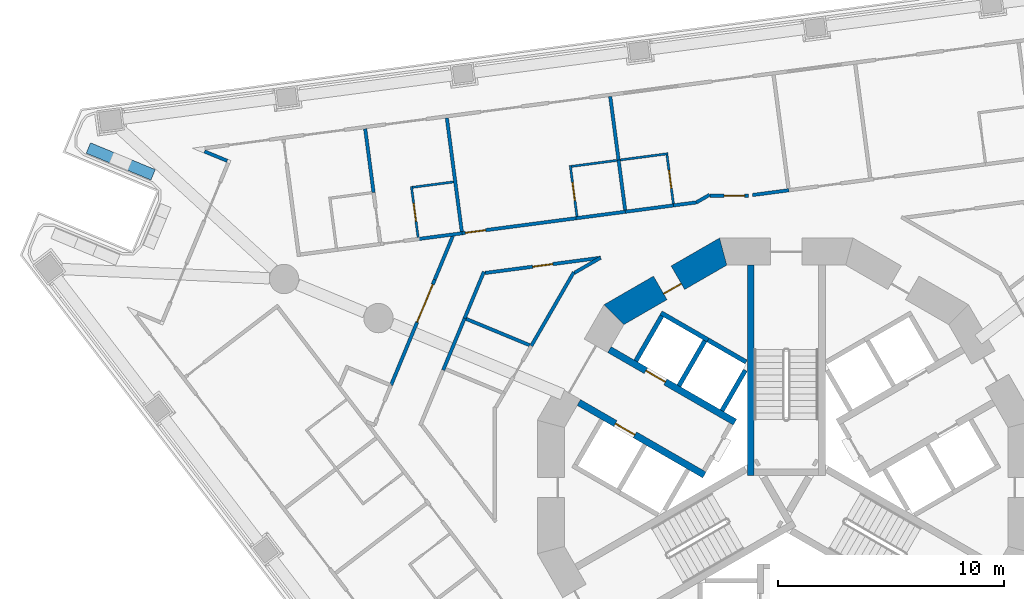
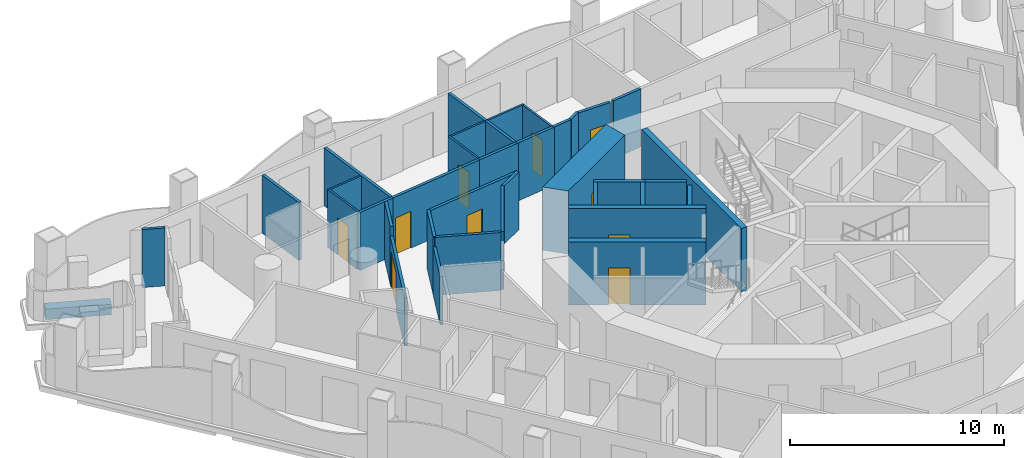
# One storey, part 7 of 19: 37 walls, 10 doors, 10 openings.
"""IFC4 building model written with IfcOpenShell, lengths in metres."""

from ifc_helpers import new_model, si_unit, direction, frame, frame_2d, origin, place, context, subcontext, project, spatial, polyline, rectangle, outline, extrude, material, layer, layer_set, type_object, element, fill, save


model = new_model("IFC4")

# Units and contexts
model_context = context("Model", 3, precision=1e-05, world=origin(), true_north=direction((0.0, 1.0)))
body_context = subcontext(model_context, "Body", "Model", "MODEL_VIEW")
ifc_project = project(units=[si_unit("LENGTHUNIT", "METRE"), si_unit("AREAUNIT", "SQUARE_METRE"), si_unit("VOLUMEUNIT", "CUBIC_METRE"), si_unit("PLANEANGLEUNIT", "RADIAN"), si_unit("MASSUNIT", "GRAM", prefix="KILO")], contexts=[model_context])

# Site, building, storey
site_placement = place(None, origin())
site = spatial("IfcSite", under=ifc_project, at=site_placement, CompositionType="ELEMENT")
building_placement = place(site_placement, origin())
building = spatial("IfcBuilding", under=site, at=building_placement, Name="Trine Commons Tower", CompositionType="ELEMENT")
storey_placement = place(building_placement, frame((0.0, 0.0, 61.199951171875)))
storey = spatial("IfcBuildingStorey", under=building, at=storey_placement, Name="L14", CompositionType="ELEMENT", Elevation=61.199951171875)

# Walls
ifc_material_1 = material(Name="Aluminium-framed insulated wall panel", Category="aluminium")
ifc_layer_1 = layer(ifc_material_1, 0.14990234375)
ifc_layer_set_1 = layer_set([ifc_layer_1], Name="Aluminium-framed insulated wall panel")
wall_type_1 = type_object("IfcWallType", Name="Glazed frame wall 150, EI 60", PredefinedType="SOLIDWALL", material=ifc_layer_set_1)
wall_1_placement = place(storey_placement, frame((55.376220703125, 76.883056640625, 0.0), z_axis=(0.0, 0.0, 1.0), x_axis=(-0.923901801611, 0.382629665579, 0.0)))
element("IfcWall", 1, at=wall_1_placement, inside=storey, type_object=wall_type_1, Name="Glazed frame wall R3", PredefinedType="SOLIDWALL", context=body_context, shape_type="SweptSolid", body=[
    extrude(outline(polyline([(0.110107421875, 0.074951171875), (0.110107421875, -0.074951171875), (1.19580078125, -0.074951171875), (1.19580078125, 0.074951171875), (0.110107421875, 0.074951171875)])), origin(), (0.0, 0.0, 1.0), 3.300048828125),
])
ifc_material_2 = material(Name="Planter trough, precast concrete C40/50", Category="concrete")
ifc_layer_2 = layer(ifc_material_2, 0.5)
ifc_layer_set_2 = layer_set([ifc_layer_2], Name="Planter trough, precast concrete C40/50")
wall_type_2 = type_object("IfcWallType", Name="Planter trough 500x600", PredefinedType="PARAPET", material=ifc_layer_set_2)
wall_2_placement = place(storey_placement, frame((51.99853515625, 76.306640625, 0.0), z_axis=(0.0, 0.0, 1.0), x_axis=(-0.923883411188, 0.382674068277, 0.0)))
element("IfcWall", 2, at=wall_2_placement, inside=storey, type_object=wall_type_2, Name="Planter 3", PredefinedType="PARAPET", context=body_context, shape_type="SweptSolid", body=[
    extrude(rectangle(XDim=3.099853515625, YDim=0.5, at=frame_2d((1.5498046875, 0.0))), origin(), (0.0, 0.0, 1.0), 0.60009765625),
])

# Wall, opening, door
ifc_material_3 = material(Name="Concrete C80/95", Category="concrete")
ifc_layer_3 = layer(ifc_material_3, 1.199951171875)
ifc_layer_set_3 = layer_set([ifc_layer_3], Name="Concrete C80/95")
wall_type_3 = type_object("IfcWallType", Name="RC shear wall 1200 mm, C80/95", PredefinedType="SHEAR", material=ifc_layer_set_3)
wall_3_placement = place(storey_placement, frame((77.349609375, 72.991943359375, 0.0), z_axis=(0.0, 0.0, 1.0), x_axis=(-0.866037463336, -0.499979111662, 0.0)))
wall_3 = element("IfcWall", 3, at=wall_3_placement, inside=storey, type_object=wall_type_3, Name="Core wall CWB-05 L14", PredefinedType="SHEAR", context=body_context, shape_type="SweptSolid", body=[
    extrude(outline(polyline([(0.0, -0.60009765625), (5.901123046875, -0.60009765625), (5.57958984375, 0.60009765625), (0.321533203125, 0.60009765625), (0.0, -0.60009765625)])), origin(), (0.0, 0.0, 1.0), 3.60009765625),
])
opening_1_placement = place(wall_3_placement, frame((2.474853515625, 0.0, 0.0)))
opening_1 = element("IfcOpeningElement", 4, at=opening_1_placement, cuts=wall_3, Name="Opening K05.12", PredefinedType="OPENING", context=body_context, shape_type="SweptSolid", body=[
    extrude(rectangle(XDim=0.89990234375, YDim=2.10009765625, at=frame_2d((0.449951171875, 1.050048828125))), frame((0.0, 0.60986328125, 0.0), z_axis=(0.0, -1.0, 0.0), x_axis=(1.0, 0.0, 0.0)), (0.0, 0.0, 1.0), 1.219970703125),
])
ifc_material_4 = material(Name="Steel door leaf, fire-rated", Category="steel")
door_type_1 = type_object("IfcDoorType", Name="Core room door, single leaf 900 x 2100, FD30S", OperationType="SINGLE_SWING_LEFT", PredefinedType="DOOR", material=ifc_material_4)
door_1_placement = place(opening_1_placement, origin())
door_1 = element("IfcDoor", 5, at=door_1_placement, inside=storey, type_object=door_type_1, Name="Door to Accessible WC L14", OperationType="SINGLE_SWING_LEFT", OverallHeight=2.10009765625, OverallWidth=0.89990234375, PredefinedType="DOOR", context=body_context, shape_type="SweptSolid", body=[
    extrude(rectangle(XDim=0.89990234375, YDim=2.10009765625, at=frame_2d((0.449951171875, 1.050048828125))), frame((0.0, 0.3251953125, 0.0), z_axis=(0.0, -1.0, 0.0), x_axis=(1.0, 0.0, 0.0)), (0.0, 0.0, 1.0), 0.050048828125),
])
fill(opening_1, door_1)

ifc_layer_4 = layer(ifc_material_3, 0.300048828125)
ifc_layer_set_4 = layer_set([ifc_layer_4], Name="Concrete C80/95")
wall_type_4 = type_object("IfcWallType", Name="RC shear wall 300 mm, C80/95", PredefinedType="SHEAR", material=ifc_layer_set_4)
wall_4_placement = place(storey_placement, frame((76.381103515625, 63.031005859375, 0.0), z_axis=(0.0, 0.0, 1.0), x_axis=(-0.866032150378, 0.499988314375, 0.0)))
wall_4 = element("IfcWall", 6, at=wall_4_placement, inside=storey, type_object=wall_type_4, Name="Core cross wall SWA-01 L14", PredefinedType="SHEAR", context=body_context, shape_type="SweptSolid", body=[
    extrude(rectangle(XDim=6.412353515625, YDim=0.300048828125, at=frame_2d((3.2060546875, 0.0))), origin(), (0.0, 0.0, 1.0), 3.60009765625),
])
opening_2_placement = place(wall_4_placement, frame((3.55029296875, 0.0, 0.0)))
opening_2 = element("IfcOpeningElement", 7, at=opening_2_placement, cuts=wall_4, Name="Opening LD3", PredefinedType="OPENING", context=body_context, shape_type="SweptSolid", body=[
    extrude(rectangle(XDim=1.0, YDim=2.10009765625, at=frame_2d((0.5, 1.050048828125))), frame((0.0, 0.159912109375, 0.0), z_axis=(0.0, -1.0, 0.0), x_axis=(1.0, 0.0, 0.0)), (0.0, 0.0, 1.0), 0.320068359375),
])
ifc_material_5 = material(Name="Stainless steel sliding door leaves", Category="steel")
door_type_2 = type_object("IfcDoorType", Name="Lift landing door, centre-opening sliding 1000 x 2100, FD90", OperationType="DOUBLE_DOOR_SLIDING", PredefinedType="DOOR", material=ifc_material_5)
door_2_placement = place(opening_2_placement, origin())
door_2 = element("IfcDoor", 8, at=door_2_placement, inside=storey, type_object=door_type_2, Name="Lift landing door LR3 L14", OperationType="DOUBLE_DOOR_SLIDING", OverallHeight=2.10009765625, OverallWidth=1.0, PredefinedType="DOOR", context=body_context, shape_type="SweptSolid", body=[
    extrude(rectangle(XDim=1.0, YDim=2.10009765625, at=frame_2d((0.5, 1.050048828125))), frame((0.0, 0.02490234375, 0.0), z_axis=(0.0, -1.0, 0.0), x_axis=(1.0, 0.0, 0.0)), (0.0, 0.0, 1.0), 0.050048828125),
])
fill(opening_2, door_2)

wall_5_placement = place(storey_placement, frame((77.73095703125, 65.368896484375, 0.0), z_axis=(0.0, 0.0, 1.0), x_axis=(-0.866022631842, 0.500004801114, 0.0)))
wall_5 = element("IfcWall", 9, at=wall_5_placement, inside=storey, type_object=wall_type_4, Name="Core cross wall SWA-02 L14", PredefinedType="SHEAR", context=body_context, shape_type="SweptSolid", body=[
    extrude(rectangle(XDim=6.412109375, YDim=0.300048828125, at=frame_2d((3.2060546875, 0.0))), origin(), (0.0, 0.0, 1.0), 3.60009765625),
])
opening_3_placement = place(wall_5_placement, frame((3.55029296875, 0.0, 0.0)))
opening_3 = element("IfcOpeningElement", 10, at=opening_3_placement, cuts=wall_5, Name="Opening LD4", PredefinedType="OPENING", context=body_context, shape_type="SweptSolid", body=[
    extrude(rectangle(XDim=1.0, YDim=2.10009765625, at=frame_2d((0.5, 1.050048828125))), frame((0.0, 0.159912109375, 0.0), z_axis=(0.0, -1.0, 0.0), x_axis=(1.0, 0.0, 0.0)), (0.0, 0.0, 1.0), 0.320068359375),
])
door_3_placement = place(opening_3_placement, origin())
door_3 = element("IfcDoor", 11, at=door_3_placement, inside=storey, type_object=door_type_2, Name="Lift landing door LR4 L14", OperationType="DOUBLE_DOOR_SLIDING", OverallHeight=2.10009765625, OverallWidth=1.0, PredefinedType="DOOR", context=body_context, shape_type="SweptSolid", body=[
    extrude(rectangle(XDim=1.0, YDim=2.10009765625, at=frame_2d((0.5, 1.050048828125))), frame((0.0, 0.02490234375, 0.0), z_axis=(0.0, -1.0, 0.0), x_axis=(1.0, 0.0, 0.0)), (0.0, 0.0, 1.0), 0.050048828125),
])
fill(opening_3, door_3)

# Walls
wall_6_placement = place(storey_placement, frame((78.425048828125, 63.0009765625, 0.0), z_axis=(0.0, 0.0, 1.0), x_axis=(0.0, 1.0, 0.0)))
element("IfcWall", 12, at=wall_6_placement, inside=storey, type_object=wall_type_4, Name="Core cross wall SWA-08 L14", PredefinedType="SHEAR", context=body_context, shape_type="SweptSolid", body=[
    extrude(rectangle(XDim=9.31103515625, YDim=0.300048828125, at=frame_2d((4.655517578125, 0.0))), origin(), (0.0, 0.0, 1.0), 3.60009765625),
])
ifc_material_6 = material(Name="Fire-rated gypsum shaft wall system")
ifc_layer_5 = layer(ifc_material_6, 0.199951171875)
ifc_layer_set_5 = layer_set([ifc_layer_5], Name="Fire-rated gypsum shaft wall system")
wall_type_5 = type_object("IfcWallType", Name="Shaft wall 200 mm, EI 120", PredefinedType="PARTITIONING", material=ifc_layer_set_5)
wall_7_placement = place(storey_placement, frame((73.344970703125, 68.073974609375, 0.0), z_axis=(0.0, 0.0, 1.0), x_axis=(0.500215680983, 0.865900844496, 0.0)))
element("IfcWall", 13, at=wall_7_placement, inside=storey, type_object=wall_type_5, Name="Shaft wall L14", PredefinedType="PARTITIONING", context=body_context, shape_type="SweptSolid", body=[
    extrude(rectangle(XDim=2.29931640625, YDim=0.199951171875, at=frame_2d((1.149658203125, 0.0))), origin(), (0.0, 0.0, 1.0), 3.300048828125),
])
wall_8_placement = place(storey_placement, frame((75.2509765625, 66.97412109375, 0.0), z_axis=(0.0, 0.0, 1.0), x_axis=(0.500136062276, 0.86594683394, 0.0)))
element("IfcWall", 14, at=wall_8_placement, inside=storey, type_object=wall_type_5, Name="Shaft wall L14", PredefinedType="PARTITIONING", context=body_context, shape_type="SweptSolid", body=[
    extrude(rectangle(XDim=2.299072265625, YDim=0.199951171875, at=frame_2d((1.1494140625, 0.0))), origin(), (0.0, 0.0, 1.0), 3.300048828125),
])
wall_9_placement = place(storey_placement, frame((76.5380859375, 69.001953125, 0.0), z_axis=(0.0, 0.0, 1.0), x_axis=(-0.866202511239, 0.499693115345, 0.0)))
element("IfcWall", 15, at=wall_9_placement, inside=storey, type_object=wall_type_5, Name="Shaft wall L14", PredefinedType="PARTITIONING", context=body_context, shape_type="SweptSolid", body=[
    extrude(rectangle(XDim=2.4013671875, YDim=0.199951171875, at=frame_2d((1.20068359375, 0.0))), origin(), (0.0, 0.0, 1.0), 3.300048828125),
])
wall_10_placement = place(storey_placement, frame((77.156005859375, 65.8740234375, 0.0), z_axis=(0.0, 0.0, 1.0), x_axis=(0.499865770674, 0.866102887253, 0.0)))
element("IfcWall", 16, at=wall_10_placement, inside=storey, type_object=wall_type_5, Name="Shaft wall L14", PredefinedType="PARTITIONING", context=body_context, shape_type="SweptSolid", body=[
    extrude(rectangle(XDim=2.064453125, YDim=0.199951171875, at=frame_2d((1.0322265625, 0.0))), origin(), (0.0, 0.0, 1.0), 3.300048828125),
])
wall_11_placement = place(storey_placement, frame((78.22509765625, 68.028076171875, 0.0), z_axis=(0.0, 0.0, 1.0), x_axis=(-0.866052014814, 0.499953905513, 0.0)))
element("IfcWall", 17, at=wall_11_placement, inside=storey, type_object=wall_type_5, Name="Shaft wall L14", PredefinedType="PARTITIONING", context=body_context, shape_type="SweptSolid", body=[
    extrude(rectangle(XDim=1.947998046875, YDim=0.199951171875, at=frame_2d((0.97412109375, 0.0))), origin(), (0.0, 0.0, 1.0), 3.300048828125),
])
ifc_material_7 = material(Name="Gypsum plasterboard on steel stud", Category="steel")
ifc_layer_6 = layer(ifc_material_7, 0.14990234375)
ifc_layer_set_6 = layer_set([ifc_layer_6], Name="Gypsum plasterboard on steel stud")
wall_type_6 = type_object("IfcWallType", Name="Unit and corridor wall 150 mm, EI 60", PredefinedType="PARTITIONING", material=ifc_layer_set_6)
wall_12_placement = place(storey_placement, frame((61.377197265625, 78.34130859375, 0.0), z_axis=(0.0, 0.0, 1.0), x_axis=(0.130648074846, -0.9914288076, 0.0)))
element("IfcWall", 18, at=wall_12_placement, inside=storey, type_object=wall_type_6, Name="Partition 016", PredefinedType="PARTITIONING", context=body_context, shape_type="SweptSolid", body=[
    extrude(rectangle(XDim=2.838623046875, YDim=0.14990234375, at=frame_2d((1.41943359375, 0.0))), origin(), (0.0, 0.0, 1.0), 3.300048828125),
])

# Wall, opening, door
wall_13_placement = place(storey_placement, frame((62.52197265625, 67.007080078125, 0.0), z_axis=(0.0, 0.0, 1.0), x_axis=(0.382650715136, 0.923893083753, 0.0)))
wall_13 = element("IfcWall", 19, at=wall_13_placement, inside=storey, type_object=wall_type_6, Name="Partition 022", PredefinedType="PARTITIONING", context=body_context, shape_type="SweptSolid", body=[
    extrude(rectangle(XDim=5.04931640625, YDim=0.14990234375, at=frame_2d((2.524658203125, 0.0))), origin(), (0.0, 0.0, 1.0), 2.75),
])
opening_4_placement = place(wall_13_placement, frame((3.014404296875, 0.0, 0.0)))
opening_4 = element("IfcOpeningElement", 20, at=opening_4_placement, cuts=wall_13, Name="Opening D-2B03", PredefinedType="OPENING", context=body_context, shape_type="SweptSolid", body=[
    extrude(rectangle(XDim=1.800048828125, YDim=2.10009765625, at=frame_2d((0.89990234375, 1.050048828125))), frame((0.0, 0.0849609375, 0.0), z_axis=(0.0, -1.0, 0.0), x_axis=(1.0, 0.0, 0.0)), (0.0, 0.0, 1.0), 0.169921875),
])
ifc_material_8 = material(Name="Timber fire door set", Category="wood")
door_type_3 = type_object("IfcDoorType", Name="Cluster entrance door 1800 x 2100, double leaf, FD30S", OperationType="DOUBLE_DOOR_DOUBLE_SWING", PredefinedType="DOOR", material=ifc_material_8)
door_4_placement = place(opening_4_placement, origin())
door_4 = element("IfcDoor", 21, at=door_4_placement, inside=storey, type_object=door_type_3, Name="Door D-2B03", OperationType="DOUBLE_DOOR_DOUBLE_SWING", OverallHeight=2.10009765625, OverallWidth=1.800048828125, PredefinedType="DOOR", context=body_context, shape_type="SweptSolid", body=[
    extrude(rectangle(XDim=1.800048828125, YDim=2.10009765625, at=frame_2d((0.89990234375, 1.050048828125))), frame((0.0, 0.02490234375, 0.0), z_axis=(0.0, -1.0, 0.0), x_axis=(1.0, 0.0, 0.0)), (0.0, 0.0, 1.0), 0.050048828125),
])
fill(opening_4, door_4)

# Walls
wall_14_placement = place(storey_placement, frame((63.722900390625, 73.467041015625, 0.0), z_axis=(0.0, 0.0, 1.0), x_axis=(0.991489487772, 0.130186772134, 0.0)))
element("IfcWall", 22, at=wall_14_placement, inside=storey, type_object=wall_type_6, Name="Partition 027", PredefinedType="PARTITIONING", context=body_context, shape_type="SweptSolid", body=[
    extrude(rectangle(XDim=1.957763671875, YDim=0.14990234375, at=frame_2d((0.97900390625, 0.0))), origin(), (0.0, 0.0, 1.0), 3.300048828125),
])
wall_15_placement = place(storey_placement, frame((64.4541015625, 71.672119140625, 0.0), z_axis=(0.0, 0.0, 1.0), x_axis=(0.382922635391, 0.923780415091, 0.0)))
element("IfcWall", 23, at=wall_15_placement, inside=storey, type_object=wall_type_6, Name="Partition 030", PredefinedType="PARTITIONING", context=body_context, shape_type="SweptSolid", body=[
    extrude(rectangle(XDim=2.08984375, YDim=0.14990234375, at=frame_2d((1.044921875, 0.0))), origin(), (0.0, 0.0, 1.0), 3.300048828125),
])
wall_16_placement = place(storey_placement, frame((64.826416015625, 67.671630859375, 0.0), z_axis=(0.0, 0.0, 1.0), x_axis=(0.382785873713, 0.923837093261, 0.0)))
element("IfcWall", 24, at=wall_16_placement, inside=storey, type_object=wall_type_6, Name="Partition 033", PredefinedType="PARTITIONING", context=body_context, shape_type="SweptSolid", body=[
    extrude(rectangle(XDim=2.483642578125, YDim=0.14990234375, at=frame_2d((1.24169921875, 0.0))), origin(), (0.0, 0.0, 1.0), 2.75),
])
wall_17_placement = place(storey_placement, frame((64.9892578125, 78.8173828125, 0.0), z_axis=(0.0, 0.0, 1.0), x_axis=(0.130499406053, -0.991448387471, 0.0)))
element("IfcWall", 25, at=wall_17_placement, inside=storey, type_object=wall_type_6, Name="Partition 035", PredefinedType="PARTITIONING", context=body_context, shape_type="SweptSolid", body=[
    extrude(rectangle(XDim=5.064208984375, YDim=0.14990234375, at=frame_2d((2.5322265625, 0.0))), origin(), (0.0, 0.0, 1.0), 3.300048828125),
])

# Wall, opening, door
wall_18_placement = place(storey_placement, frame((65.656005859375, 73.720947265625, 0.0), z_axis=(0.0, 0.0, 1.0), x_axis=(0.991434260867, 0.130606685815, 0.0)))
wall_18 = element("IfcWall", 26, at=wall_18_placement, inside=storey, type_object=wall_type_6, Name="Partition 036", PredefinedType="PARTITIONING", context=body_context, shape_type="SweptSolid", body=[
    extrude(rectangle(XDim=5.146240234375, YDim=0.14990234375, at=frame_2d((2.5732421875, 0.0))), origin(), (0.0, 0.0, 1.0), 3.300048828125),
])
opening_5_placement = place(wall_18_placement, frame((0.154052734375, 0.0, 0.0)))
opening_5 = element("IfcOpeningElement", 27, at=opening_5_placement, cuts=wall_18, Name="Opening D-2B09", PredefinedType="OPENING", context=body_context, shape_type="SweptSolid", body=[
    extrude(rectangle(XDim=0.89990234375, YDim=2.10009765625, at=frame_2d((0.449951171875, 1.050048828125))), frame((0.0, 0.0849609375, 0.0), z_axis=(0.0, -1.0, 0.0), x_axis=(1.0, 0.0, 0.0)), (0.0, 0.0, 1.0), 0.169921875),
])
door_type_4 = type_object("IfcDoorType", Name="Bedroom door 900 x 2100, FD30S", OperationType="NOTDEFINED", PredefinedType="DOOR", material=ifc_material_8)
door_5_placement = place(opening_5_placement, origin())
door_5 = element("IfcDoor", 28, at=door_5_placement, inside=storey, type_object=door_type_4, Name="Door D-2B09", OperationType="SINGLE_SWING_LEFT", OverallHeight=2.10009765625, OverallWidth=0.89990234375, PredefinedType="DOOR", context=body_context, shape_type="SweptSolid", body=[
    extrude(rectangle(XDim=0.89990234375, YDim=2.10009765625, at=frame_2d((0.449951171875, 1.050048828125))), frame((0.0, 0.02490234375, 0.0), z_axis=(0.0, -1.0, 0.0), x_axis=(1.0, 0.0, 0.0)), (0.0, 0.0, 1.0), 0.050048828125),
])
fill(opening_5, door_5)

# Walls
wall_19_placement = place(storey_placement, frame((65.77392578125, 69.9580078125, 0.0), z_axis=(0.0, 0.0, 1.0), x_axis=(0.382599241046, 0.923914401203, 0.0)))
element("IfcWall", 29, at=wall_19_placement, inside=storey, type_object=wall_type_6, Name="Partition 037", PredefinedType="PARTITIONING", context=body_context, shape_type="SweptSolid", body=[
    extrude(rectangle(XDim=2.236572265625, YDim=0.14990234375, at=frame_2d((1.1181640625, 0.0))), origin(), (0.0, 0.0, 1.0), 3.300048828125),
])
wall_20_placement = place(storey_placement, frame((65.77490234375, 69.9619140625, 0.0), z_axis=(0.0, 0.0, 1.0), x_axis=(0.923918484918, -0.382589379397, 0.0)))
element("IfcWall", 30, at=wall_20_placement, inside=storey, type_object=wall_type_6, Name="Partition 038", PredefinedType="PARTITIONING", context=body_context, shape_type="SweptSolid", body=[
    extrude(rectangle(XDim=3.115966796875, YDim=0.14990234375, at=frame_2d((1.55810546875, 0.0))), origin(), (0.0, 0.0, 1.0), 3.300048828125),
])

# Wall, opening, door
wall_21_placement = place(storey_placement, frame((66.67529296875, 71.96484375, 0.0), z_axis=(0.0, 0.0, 1.0), x_axis=(0.991459293276, 0.130416524172, 0.0)))
wall_21 = element("IfcWall", 31, at=wall_21_placement, inside=storey, type_object=wall_type_6, Name="Partition 039", PredefinedType="PARTITIONING", context=body_context, shape_type="SweptSolid", body=[
    extrude(rectangle(XDim=5.153564453125, YDim=0.14990234375, at=frame_2d((2.57666015625, 0.0))), origin(), (0.0, 0.0, 1.0), 3.300048828125),
])
opening_6_placement = place(wall_21_placement, frame((2.1259765625, 0.0, 0.0)))
opening_6 = element("IfcOpeningElement", 32, at=opening_6_placement, cuts=wall_21, Name="Opening D-2B35", PredefinedType="OPENING", context=body_context, shape_type="SweptSolid", body=[
    extrude(rectangle(XDim=0.89990234375, YDim=2.10009765625, at=frame_2d((0.449951171875, 1.050048828125))), frame((0.0, 0.0849609375, 0.0), z_axis=(0.0, -1.0, 0.0), x_axis=(1.0, 0.0, 0.0)), (0.0, 0.0, 1.0), 0.169921875),
])
door_type_5 = type_object("IfcDoorType", Name="Service door 900 x 2100, FD30S", OperationType="NOTDEFINED", PredefinedType="DOOR", material=ifc_material_8)
door_6_placement = place(opening_6_placement, frame((0.89990234375, 0.0, 0.0), z_axis=(0.0, 0.0, 1.0), x_axis=(-1.0, 0.0, 0.0)))
door_6 = element("IfcDoor", 33, at=door_6_placement, inside=storey, type_object=door_type_5, Name="Door D-2B35", OperationType="SINGLE_SWING_RIGHT", OverallHeight=2.10009765625, OverallWidth=0.89990234375, PredefinedType="DOOR", context=body_context, shape_type="SweptSolid", body=[
    extrude(rectangle(XDim=0.89990234375, YDim=2.10009765625, at=frame_2d((0.449951171875, 1.050048828125))), frame((0.0, 0.02490234375, 0.0), z_axis=(0.0, -1.0, 0.0), x_axis=(1.0, 0.0, 0.0)), (0.0, 0.0, 1.0), 0.050048828125),
])
fill(opening_6, door_6)

# Walls
wall_22_placement = place(storey_placement, frame((68.720947265625, 68.737060546875, 0.0), z_axis=(0.0, 0.0, 1.0), x_axis=(0.499855260579, 0.866108953002, 0.0)))
element("IfcWall", 34, at=wall_22_placement, inside=storey, type_object=wall_type_6, Name="Partition 046", PredefinedType="PARTITIONING", context=body_context, shape_type="SweptSolid", body=[
    extrude(rectangle(XDim=3.76611328125, YDim=0.14990234375, at=frame_2d((1.883056640625, 0.0))), origin(), (0.0, 0.0, 1.0), 3.300048828125),
])
wall_23_placement = place(storey_placement, frame((70.630859375, 71.971435546875, 0.0), z_axis=(0.0, 0.0, 1.0), x_axis=(0.865822790046, 0.500350773195, 0.0)))
element("IfcWall", 35, at=wall_23_placement, inside=storey, type_object=wall_type_6, Name="Partition 053", PredefinedType="PARTITIONING", context=body_context, shape_type="SweptSolid", body=[
    extrude(rectangle(XDim=1.333984375, YDim=0.14990234375, at=frame_2d((0.6669921875, 0.0))), origin(), (0.0, 0.0, 1.0), 3.300048828125),
])
wall_24_placement = place(storey_placement, frame((70.700439453125, 74.385498046875, 0.0), z_axis=(0.0, 0.0, 1.0), x_axis=(0.991421134071, 0.13070629257, 0.0)))
element("IfcWall", 36, at=wall_24_placement, inside=storey, type_object=wall_type_6, Name="Partition 054", PredefinedType="PARTITIONING", context=body_context, shape_type="SweptSolid", body=[
    extrude(rectangle(XDim=2.282470703125, YDim=0.14990234375, at=frame_2d((1.14111328125, 0.0))), origin(), (0.0, 0.0, 1.0), 3.300048828125),
])
wall_25_placement = place(storey_placement, frame((72.214111328125, 79.768310546875, 0.0), z_axis=(0.0, 0.0, 1.0), x_axis=(0.130648074846, -0.9914288076, 0.0)))
element("IfcWall", 37, at=wall_25_placement, inside=storey, type_object=wall_type_6, Name="Partition 056", PredefinedType="PARTITIONING", context=body_context, shape_type="SweptSolid", body=[
    extrude(rectangle(XDim=2.838623046875, YDim=0.14990234375, at=frame_2d((1.41943359375, 0.0))), origin(), (0.0, 0.0, 1.0), 3.300048828125),
])
wall_26_placement = place(storey_placement, frame((72.5849609375, 76.9541015625, 0.0), z_axis=(0.0, 0.0, 1.0), x_axis=(0.130417626648, -0.991459148255, 0.0)))
element("IfcWall", 38, at=wall_26_placement, inside=storey, type_object=wall_type_6, Name="Partition 057", PredefinedType="PARTITIONING", context=body_context, shape_type="SweptSolid", body=[
    extrude(rectangle(XDim=2.225830078125, YDim=0.14990234375, at=frame_2d((1.11279296875, 0.0))), origin(), (0.0, 0.0, 1.0), 3.300048828125),
])
wall_27_placement = place(storey_placement, frame((72.881103515625, 74.673095703125, 0.0), z_axis=(0.0, 0.0, 1.0), x_axis=(0.991439990687, 0.13056318343, 0.0)))
element("IfcWall", 39, at=wall_27_placement, inside=storey, type_object=wall_type_6, Name="Partition 059", PredefinedType="PARTITIONING", context=body_context, shape_type="SweptSolid", body=[
    extrude(rectangle(XDim=2.208251953125, YDim=0.14990234375, at=frame_2d((1.10400390625, 0.0))), origin(), (0.0, 0.0, 1.0), 3.300048828125),
])
wall_28_placement = place(storey_placement, frame((75.012939453125, 74.9541015625, 0.0), z_axis=(0.0, 0.0, 1.0), x_axis=(0.991497392329, 0.130126557642, 0.0)))
element("IfcWall", 40, at=wall_28_placement, inside=storey, type_object=wall_type_6, Name="Partition 064", PredefinedType="PARTITIONING", context=body_context, shape_type="SweptSolid", body=[
    extrude(rectangle(XDim=1.020751953125, YDim=0.14990234375, at=frame_2d((0.51025390625, 0.0))), origin(), (0.0, 0.0, 1.0), 3.300048828125),
])
wall_29_placement = place(storey_placement, frame((76.01806640625, 75.08203125, 0.0), z_axis=(0.0, 0.0, 1.0), x_axis=(0.866286339247, 0.499547773926, 0.0)))
element("IfcWall", 41, at=wall_29_placement, inside=storey, type_object=wall_type_6, Name="Partition 069", PredefinedType="PARTITIONING", context=body_context, shape_type="SweptSolid", body=[
    extrude(rectangle(XDim=0.685791015625, YDim=0.14990234375, at=frame_2d((0.3427734375, 0.0))), origin(), (0.0, 0.0, 1.0), 3.300048828125),
])

# Wall, opening, door
wall_30_placement = place(storey_placement, frame((76.6220703125, 75.386962890625, 0.0), z_axis=(0.0, 0.0, 1.0), x_axis=(1.0, 0.0, 0.0)))
wall_30 = element("IfcWall", 42, at=wall_30_placement, inside=storey, type_object=wall_type_6, Name="Partition 071", PredefinedType="PARTITIONING", context=body_context, shape_type="SweptSolid", body=[
    extrude(rectangle(XDim=1.7138671875, YDim=0.14990234375, at=frame_2d((0.85693359375, 0.0))), origin(), (0.0, 0.0, 1.0), 3.300048828125),
])
opening_7_placement = place(wall_30_placement, frame((0.631103515625, 0.0, 0.0)))
opening_7 = element("IfcOpeningElement", 43, at=opening_7_placement, cuts=wall_30, Name="Opening D-2B10", PredefinedType="OPENING", context=body_context, shape_type="SweptSolid", body=[
    extrude(rectangle(XDim=0.89990234375, YDim=2.10009765625, at=frame_2d((0.449951171875, 1.050048828125))), frame((0.0, 0.0849609375, 0.0), z_axis=(0.0, -1.0, 0.0), x_axis=(1.0, 0.0, 0.0)), (0.0, 0.0, 1.0), 0.169921875),
])
door_7_placement = place(opening_7_placement, origin())
door_7 = element("IfcDoor", 44, at=door_7_placement, inside=storey, type_object=door_type_4, Name="Door D-2B10", OperationType="SINGLE_SWING_RIGHT", OverallHeight=2.10009765625, OverallWidth=0.89990234375, PredefinedType="DOOR", context=body_context, shape_type="SweptSolid", body=[
    extrude(rectangle(XDim=0.89990234375, YDim=2.10009765625, at=frame_2d((0.449951171875, 1.050048828125))), frame((0.0, 0.02490234375, 0.0), z_axis=(0.0, -1.0, 0.0), x_axis=(1.0, 0.0, 0.0)), (0.0, 0.0, 1.0), 0.050048828125),
])
fill(opening_7, door_7)

# Wall
wall_31_placement = place(storey_placement, frame((78.508056640625, 75.4130859375, 0.0), z_axis=(0.0, 0.0, 1.0), x_axis=(0.991484025307, 0.13022836696, 0.0)))
element("IfcWall", 45, at=wall_31_placement, inside=storey, type_object=wall_type_6, Name="Partition 075", PredefinedType="PARTITIONING", context=body_context, shape_type="SweptSolid", body=[
    extrude(rectangle(XDim=1.61962890625, YDim=0.14990234375, at=frame_2d((0.809814453125, 0.0))), origin(), (0.0, 0.0, 1.0), 3.300048828125),
])

# Wall, opening, door
ifc_layer_7 = layer(ifc_material_7, 0.10009765625)
ifc_layer_set_7 = layer_set([ifc_layer_7], Name="Gypsum plasterboard on steel stud")
wall_type_7 = type_object("IfcWallType", Name="Unit partition 100 mm, no rating", PredefinedType="PARTITIONING", material=ifc_layer_set_7)
wall_32_placement = place(storey_placement, frame((63.42041015625, 75.797607421875, 0.0), z_axis=(0.0, 0.0, 1.0), x_axis=(0.130518372124, -0.991445890878, 0.0)))
wall_32 = element("IfcWall", 46, at=wall_32_placement, inside=storey, type_object=wall_type_7, Name="Partition 025", PredefinedType="PARTITIONING", context=body_context, shape_type="SweptSolid", body=[
    extrude(rectangle(XDim=2.274658203125, YDim=0.10009765625, at=frame_2d((1.13720703125, 0.0))), origin(), (0.0, 0.0, 1.0), 3.300048828125),
])
opening_8_placement = place(wall_32_placement, frame((0.76220703125, 0.0, 0.0)))
opening_8 = element("IfcOpeningElement", 47, at=opening_8_placement, cuts=wall_32, Name="Opening D-2B39", PredefinedType="OPENING", context=body_context, shape_type="SweptSolid", body=[
    extrude(rectangle(XDim=0.800048828125, YDim=2.10009765625, at=frame_2d((0.39990234375, 1.050048828125))), frame((0.0, 0.06005859375, 0.0), z_axis=(0.0, -1.0, 0.0), x_axis=(1.0, 0.0, 0.0)), (0.0, 0.0, 1.0), 0.1201171875),
])
ifc_material_9 = material(Name="Painted timber", Category="wood")
door_type_6 = type_object("IfcDoorType", Name="Internal door 800 x 2100, NOT RATED", OperationType="NOTDEFINED", PredefinedType="DOOR", material=ifc_material_9)
door_8_placement = place(opening_8_placement, frame((0.800048828125, 0.0, 0.0), z_axis=(0.0, 0.0, 1.0), x_axis=(-1.0, 0.0, 0.0)))
door_8 = element("IfcDoor", 48, at=door_8_placement, inside=storey, type_object=door_type_6, Name="Door D-2B39", OperationType="SINGLE_SWING_LEFT", OverallHeight=2.10009765625, OverallWidth=0.800048828125, PredefinedType="DOOR", context=body_context, shape_type="SweptSolid", body=[
    extrude(rectangle(XDim=0.800048828125, YDim=2.10009765625, at=frame_2d((0.39990234375, 1.050048828125))), frame((0.0, 0.02490234375, 0.0), z_axis=(0.0, -1.0, 0.0), x_axis=(1.0, 0.0, 0.0)), (0.0, 0.0, 1.0), 0.050048828125),
])
fill(opening_8, door_8)

# Wall
wall_33_placement = place(storey_placement, frame((63.4765625, 75.75439453125, 0.0), z_axis=(0.0, 0.0, 1.0), x_axis=(0.991471592706, 0.13032298668, 0.0)))
element("IfcWall", 49, at=wall_33_placement, inside=storey, type_object=wall_type_7, Name="Partition 026", PredefinedType="PARTITIONING", context=body_context, shape_type="SweptSolid", body=[
    extrude(rectangle(XDim=1.82470703125, YDim=0.10009765625, at=frame_2d((0.912353515625, 0.0))), origin(), (0.0, 0.0, 1.0), 3.300048828125),
])

# Wall, opening, door
wall_34_placement = place(storey_placement, frame((70.446533203125, 76.72265625, 0.0), z_axis=(0.0, 0.0, 1.0), x_axis=(0.130820949101, -0.991406011317, 0.0)))
wall_34 = element("IfcWall", 50, at=wall_34_placement, inside=storey, type_object=wall_type_7, Name="Partition 050", PredefinedType="PARTITIONING", context=body_context, shape_type="SweptSolid", body=[
    extrude(rectangle(XDim=2.27490234375, YDim=0.10009765625, at=frame_2d((1.137451171875, 0.0))), origin(), (0.0, 0.0, 1.0), 3.300048828125),
])
opening_9_placement = place(wall_34_placement, frame((0.762451171875, 0.0, 0.0)))
opening_9 = element("IfcOpeningElement", 51, at=opening_9_placement, cuts=wall_34, Name="Opening D-2B40", PredefinedType="OPENING", context=body_context, shape_type="SweptSolid", body=[
    extrude(rectangle(XDim=0.800048828125, YDim=2.10009765625, at=frame_2d((0.39990234375, 1.050048828125))), frame((0.0, 0.06005859375, 0.0), z_axis=(0.0, -1.0, 0.0), x_axis=(1.0, 0.0, 0.0)), (0.0, 0.0, 1.0), 0.1201171875),
])
door_9_placement = place(opening_9_placement, frame((0.800048828125, 0.0, 0.0), z_axis=(0.0, 0.0, 1.0), x_axis=(-1.0, 0.0, 0.0)))
door_9 = element("IfcDoor", 52, at=door_9_placement, inside=storey, type_object=door_type_6, Name="Door D-2B40", OperationType="SINGLE_SWING_LEFT", OverallHeight=2.10009765625, OverallWidth=0.800048828125, PredefinedType="DOOR", context=body_context, shape_type="SweptSolid", body=[
    extrude(rectangle(XDim=0.800048828125, YDim=2.10009765625, at=frame_2d((0.39990234375, 1.050048828125))), frame((0.0, 0.02490234375, 0.0), z_axis=(0.0, -1.0, 0.0), x_axis=(1.0, 0.0, 0.0)), (0.0, 0.0, 1.0), 0.050048828125),
])
fill(opening_9, door_9)

# Walls
wall_35_placement = place(storey_placement, frame((70.502685546875, 76.679443359375, 0.0), z_axis=(0.0, 0.0, 1.0), x_axis=(0.991424726931, 0.130679037451, 0.0)))
element("IfcWall", 53, at=wall_35_placement, inside=storey, type_object=wall_type_7, Name="Partition 051", PredefinedType="PARTITIONING", context=body_context, shape_type="SweptSolid", body=[
    extrude(rectangle(XDim=2.025146484375, YDim=0.10009765625, at=frame_2d((1.0126953125, 0.0))), origin(), (0.0, 0.0, 1.0), 3.300048828125),
])
wall_36_placement = place(storey_placement, frame((72.659423828125, 76.9638671875, 0.0), z_axis=(0.0, 0.0, 1.0), x_axis=(0.991493741143, 0.130154374779, 0.0)))
element("IfcWall", 54, at=wall_36_placement, inside=storey, type_object=wall_type_7, Name="Partition 058", PredefinedType="PARTITIONING", context=body_context, shape_type="SweptSolid", body=[
    extrude(rectangle(XDim=2.125244140625, YDim=0.10009765625, at=frame_2d((1.0625, 0.0))), origin(), (0.0, 0.0, 1.0), 3.300048828125),
])

# Wall, opening, door
wall_37_placement = place(storey_placement, frame((74.723388671875, 77.184326171875, 0.0), z_axis=(0.0, 0.0, 1.0), x_axis=(0.130457416757, -0.991453913409, 0.0)))
wall_37 = element("IfcWall", 55, at=wall_37_placement, inside=storey, type_object=wall_type_7, Name="Partition 063", PredefinedType="PARTITIONING", context=body_context, shape_type="SweptSolid", body=[
    extrude(rectangle(XDim=2.174560546875, YDim=0.10009765625, at=frame_2d((1.08740234375, 0.0))), origin(), (0.0, 0.0, 1.0), 3.300048828125),
])
opening_10_placement = place(wall_37_placement, frame((0.687255859375, 0.0, 0.0)))
opening_10 = element("IfcOpeningElement", 56, at=opening_10_placement, cuts=wall_37, Name="Opening D-2B41", PredefinedType="OPENING", context=body_context, shape_type="SweptSolid", body=[
    extrude(rectangle(XDim=0.800048828125, YDim=2.10009765625, at=frame_2d((0.39990234375, 1.050048828125))), frame((0.0, 0.06005859375, 0.0), z_axis=(0.0, -1.0, 0.0), x_axis=(1.0, 0.0, 0.0)), (0.0, 0.0, 1.0), 0.1201171875),
])
door_10_placement = place(opening_10_placement, origin())
door_10 = element("IfcDoor", 57, at=door_10_placement, inside=storey, type_object=door_type_6, Name="Door D-2B41", OperationType="SINGLE_SWING_LEFT", OverallHeight=2.10009765625, OverallWidth=0.800048828125, PredefinedType="DOOR", context=body_context, shape_type="SweptSolid", body=[
    extrude(rectangle(XDim=0.800048828125, YDim=2.10009765625, at=frame_2d((0.39990234375, 1.050048828125))), frame((0.0, 0.02490234375, 0.0), z_axis=(0.0, -1.0, 0.0), x_axis=(1.0, 0.0, 0.0)), (0.0, 0.0, 1.0), 0.050048828125),
])
fill(opening_10, door_10)

save(model, "model.ifc")
